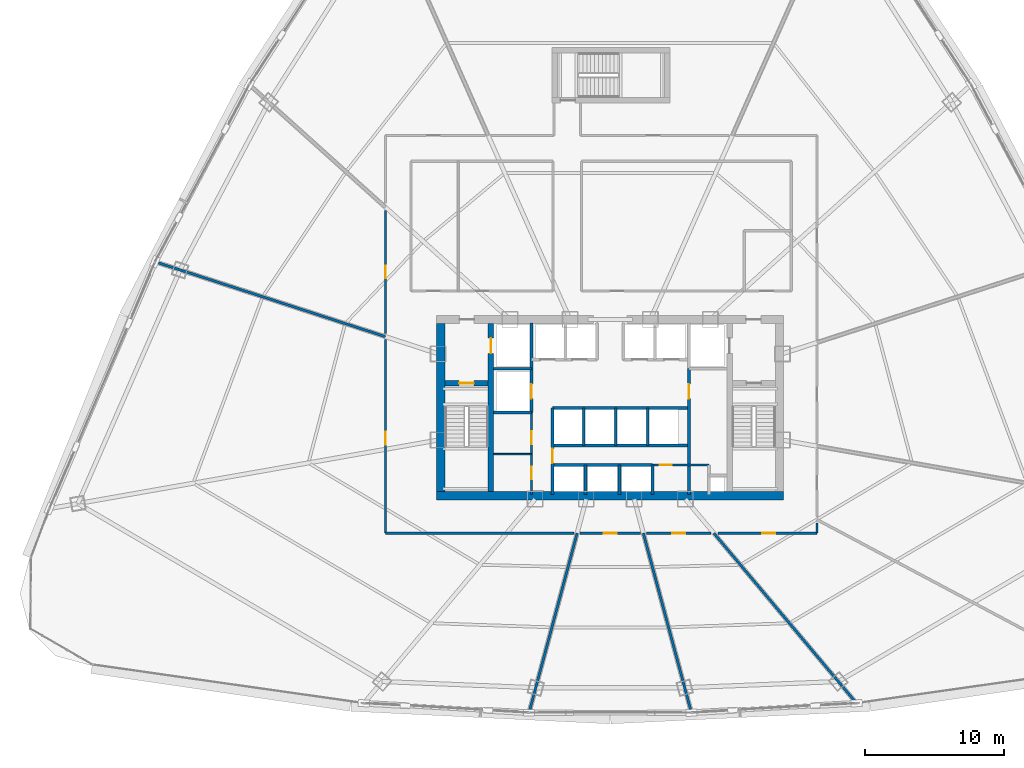
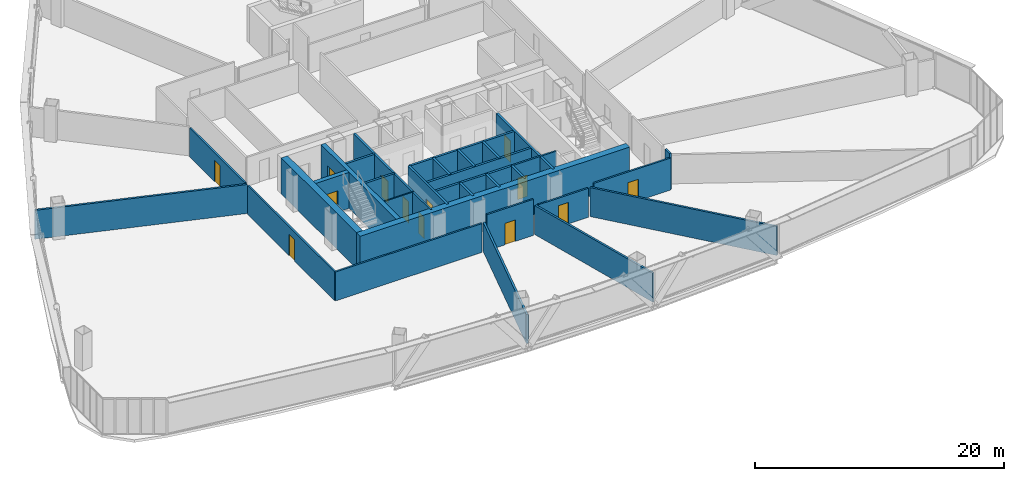
# One storey, part 32 of 39: 32 walls, 13 doors, 13 openings.
"""IFC4 building model written with IfcOpenShell, lengths in metres."""

from ifc_helpers import new_model, si_unit, direction, frame, frame_2d, origin, origin_with_axes, place, context, subcontext, project, spatial, rectangle, extrude, source, transform, mapped, material, layer, layer_set, type_object, element, fill, save


model = new_model("IFC4")

# Units and contexts
model_context = context("Model", 3, precision=1e-05, world=origin(), true_north=direction((0.0, 1.0)))
body_context = subcontext(model_context, "Body", "Model", "MODEL_VIEW")
ifc_project = project(units=[si_unit("LENGTHUNIT", "METRE"), si_unit("AREAUNIT", "SQUARE_METRE"), si_unit("VOLUMEUNIT", "CUBIC_METRE"), si_unit("PLANEANGLEUNIT", "RADIAN"), si_unit("MASSUNIT", "GRAM", prefix="KILO"), si_unit("THERMODYNAMICTEMPERATUREUNIT", "KELVIN"), si_unit("POWERUNIT", "WATT")], contexts=[model_context])

# Site, building, storey
site_placement = place(None, origin())
site = spatial("IfcSite", under=ifc_project, at=site_placement, CompositionType="ELEMENT")
building_placement = place(site_placement, origin())
building = spatial("IfcBuilding", under=site, at=building_placement, Name="Yunzhuo Pagoda Commons", CompositionType="ELEMENT")
storey_placement = place(building_placement, frame((0.0, 0.0, 96.3798828125)))
storey = spatial("IfcBuildingStorey", under=building, at=storey_placement, Name="L24", CompositionType="ELEMENT", Elevation=96.3798828125)

# Walls
ifc_material_1 = material(Name="Concrete C60", Category="concrete")
ifc_layer_1 = layer(ifc_material_1, 0.60009765625)
ifc_layer_set_1 = layer_set([ifc_layer_1], Name="Concrete C60")
wall_type_1 = type_object("IfcWallType", Name="W-C02 Mid Core Shear Wall 600", PredefinedType="SHEAR", material=ifc_layer_set_1)
wall_1_placement = place(storey_placement, frame((35.5, 27.5, 0.0), z_axis=(0.0, 0.0, 1.0), x_axis=(1.0, 0.0, 0.0)))
element("IfcWall", 1, at=wall_1_placement, inside=storey, type_object=wall_type_1, Name="L24 core shear wall S", PredefinedType="SHEAR", context=body_context, shape_type="SweptSolid", body=[
    extrude(rectangle(XDim=25.0, YDim=0.60009765625, at=frame_2d((12.5, 0.0))), origin(), (0.0, 0.0, 1.0), 3.5400390625),
])
wall_2_placement = place(storey_placement, frame((35.800048828125, 27.800048828125, 0.0), z_axis=(0.0, 0.0, 1.0), x_axis=(0.0, 1.0, 0.0)))
element("IfcWall", 2, at=wall_2_placement, inside=storey, type_object=wall_type_1, Name="L24 core shear wall W", PredefinedType="SHEAR", context=body_context, shape_type="SweptSolid", body=[
    extrude(rectangle(XDim=12.099853515625, YDim=0.60009765625, at=frame_2d((6.0498046875, 0.0))), origin(), (0.0, 0.0, 1.0), 3.5400390625),
])

# Wall, openings, doors
ifc_material_2 = material(Name="Gypsum plasterboard on acoustic stud")
ifc_layer_2 = layer(ifc_material_2, 0.159912109375)
ifc_layer_set_2 = layer_set([ifc_layer_2], Name="Gypsum plasterboard on acoustic stud")
wall_type_2 = type_object("IfcWallType", Name="W-COR1 Tower Rated Corridor Wall 160", PredefinedType="PARTITIONING", material=ifc_layer_set_2)
wall_3_placement = place(storey_placement, frame((42.320068359375, 27.60009765625, 0.0), z_axis=(0.0, 0.0, 1.0), x_axis=(0.0, 1.0, 0.0)))
wall_3 = element("IfcWall", 3, at=wall_3_placement, inside=storey, type_object=wall_type_2, Name="L24 interior wall IW-L24-CSWE", PredefinedType="PARTITIONING", context=body_context, shape_type="SweptSolid", body=[
    extrude(rectangle(XDim=5.89990234375, YDim=0.159912109375, at=frame_2d((2.949951171875, 0.0))), origin(), (0.0, 0.0, 1.0), 3.5400390625),
])
opening_1_placement = place(wall_3_placement, frame((1.10009765625, 0.0, 0.0)))
opening_1 = element("IfcOpeningElement", 4, at=opening_1_placement, cuts=wall_3, Name="Opening D-03", PredefinedType="OPENING", context=body_context, shape_type="SweptSolid", body=[
    extrude(rectangle(XDim=0.89990234375, YDim=2.10009765625, at=frame_2d((0.449951171875, 1.050048828125))), frame((0.0, 0.08984375, 0.0), z_axis=(0.0, -1.0, 0.0), x_axis=(1.0, 0.0, 0.0)), (0.0, 0.0, 1.0), 0.179931640625),
])
opening_2_placement = place(wall_3_placement, frame((3.60009765625, 0.0, 0.0)))
opening_2 = element("IfcOpeningElement", 5, at=opening_2_placement, cuts=wall_3, Name="Opening D-11", PredefinedType="OPENING", context=body_context, shape_type="SweptSolid", body=[
    extrude(rectangle(XDim=0.93994140625, YDim=2.10009765625, at=frame_2d((0.469970703125, 1.050048828125))), frame((0.0, 0.08984375, 0.0), z_axis=(0.0, -1.0, 0.0), x_axis=(1.0, 0.0, 0.0)), (0.0, 0.0, 1.0), 0.179931640625),
])
ifc_material_3 = material(Name="Galvanized fire-resisting metal leaf")
door_type_1 = type_object("IfcDoorType", Name="D-03 Core Service Fire Door 900x2100", OperationType="NOTDEFINED", PredefinedType="DOOR", material=ifc_material_3)
shared_shape_1 = source(origin(), body_context, "Body", "SweptSolid", [
    extrude(rectangle(XDim=0.89990234375, YDim=2.10009765625, at=frame_2d((0.449951171875, 1.050048828125))), frame((0.0, 0.02490234375, 0.0), z_axis=(0.0, -1.0, 0.0), x_axis=(1.0, 0.0, 0.0)), (0.0, 0.0, 1.0), 0.050048828125),
])
door_1_placement = place(opening_1_placement, origin_with_axes())
door_1 = element("IfcDoor", 6, at=door_1_placement, inside=storey, type_object=door_type_1, Name="L24 housekeeping door", OperationType="SINGLE_SWING_RIGHT", OverallHeight=2.10009765625, OverallWidth=0.89990234375, PredefinedType="DOOR", context=body_context, shape_type="MappedRepresentation", body=[
    mapped(shared_shape_1, transform((0.0, 0.0, 0.0), scale=1.0)),
])
fill(opening_1, door_1)
door_type_2 = type_object("IfcDoorType", Name="D-11 Accessible Washroom Fire Door 940x2100", OperationType="NOTDEFINED", PredefinedType="DOOR", material=ifc_material_3)
shared_shape_2 = source(origin(), body_context, "Body", "SweptSolid", [
    extrude(rectangle(XDim=0.93994140625, YDim=2.10009765625, at=frame_2d((0.469970703125, 1.050048828125))), frame((0.0, 0.02490234375, 0.0), z_axis=(0.0, -1.0, 0.0), x_axis=(1.0, 0.0, 0.0)), (0.0, 0.0, 1.0), 0.050048828125),
])
door_2_placement = place(opening_2_placement, origin_with_axes())
door_2 = element("IfcDoor", 7, at=door_2_placement, inside=storey, type_object=door_type_2, Name="L24 core WC door", OperationType="SINGLE_SWING_RIGHT", OverallHeight=2.10009765625, OverallWidth=0.93994140625, PredefinedType="DOOR", context=body_context, shape_type="MappedRepresentation", body=[
    mapped(shared_shape_2, transform((0.0, 0.0, 0.0), scale=1.0)),
])
fill(opening_2, door_2)

# Wall, opening, door
wall_4_placement = place(storey_placement, frame((51.050048828125, 29.719970703125, 0.0), z_axis=(0.0, 0.0, 1.0), x_axis=(1.0, 0.0, 0.0)))
wall_4 = element("IfcWall", 8, at=wall_4_placement, inside=storey, type_object=wall_type_2, Name="L24 interior wall IW-L24-CSES", PredefinedType="PARTITIONING", context=body_context, shape_type="SweptSolid", body=[
    extrude(rectangle(XDim=4.070068359375, YDim=0.159912109375, at=frame_2d((2.03515625, 0.0))), origin(), (0.0, 0.0, 1.0), 3.5400390625),
])
opening_3_placement = place(wall_4_placement, frame((0.5, 0.0, 0.0)))
opening_3 = element("IfcOpeningElement", 9, at=opening_3_placement, cuts=wall_4, Name="Opening D-03", PredefinedType="OPENING", context=body_context, shape_type="SweptSolid", body=[
    extrude(rectangle(XDim=0.89990234375, YDim=2.10009765625, at=frame_2d((0.449951171875, 1.050048828125))), frame((0.0, 0.08984375, 0.0), z_axis=(0.0, -1.0, 0.0), x_axis=(1.0, 0.0, 0.0)), (0.0, 0.0, 1.0), 0.179931640625),
])
door_3_placement = place(opening_3_placement, origin_with_axes())
door_3 = element("IfcDoor", 10, at=door_3_placement, inside=storey, type_object=door_type_1, Name="L24 IT closet door", OperationType="SINGLE_SWING_LEFT", OverallHeight=2.10009765625, OverallWidth=0.89990234375, PredefinedType="DOOR", context=body_context, shape_type="MappedRepresentation", body=[
    mapped(shared_shape_1, transform((0.0, 0.0, 0.0), scale=1.0)),
])
fill(opening_3, door_3)

wall_5_placement = place(storey_placement, frame((31.800048828125, 24.800048828125, 0.0), z_axis=(0.0, 0.0, 1.0), x_axis=(0.0, 1.0, 0.0)))
wall_5 = element("IfcWall", 11, at=wall_5_placement, inside=storey, type_object=wall_type_2, Name="L24 interior wall IW-L24-CWL01", PredefinedType="PARTITIONING", context=body_context, shape_type="SweptSolid", body=[
    extrude(rectangle(XDim=13.94384765625, YDim=0.159912109375, at=frame_2d((6.971923828125, 0.0))), origin(), (0.0, 0.0, 1.0), 2.840087890625),
])
opening_4_placement = place(wall_5_placement, frame((6.376953125, 0.0, 0.0)))
opening_4 = element("IfcOpeningElement", 12, at=opening_4_placement, cuts=wall_5, Name="Opening D-06", PredefinedType="OPENING", context=body_context, shape_type="SweptSolid", body=[
    extrude(rectangle(XDim=0.949951171875, YDim=2.10009765625, at=frame_2d((0.47509765625, 1.050048828125))), frame((0.0, 0.08984375, 0.0), z_axis=(0.0, -1.0, 0.0), x_axis=(1.0, 0.0, 0.0)), (0.0, 0.0, 1.0), 0.179931640625),
])
door_type_3 = type_object("IfcDoorType", Name="D-06 Co-Living Suite Entrance Fire Door 950x2100", OperationType="NOTDEFINED", PredefinedType="DOOR", material=ifc_material_3)
shared_shape_3 = source(origin(), body_context, "Body", "SweptSolid", [
    extrude(rectangle(XDim=0.949951171875, YDim=2.10009765625, at=frame_2d((0.47509765625, 1.050048828125))), frame((0.0, 0.02490234375, 0.0), z_axis=(0.0, -1.0, 0.0), x_axis=(1.0, 0.0, 0.0)), (0.0, 0.0, 1.0), 0.050048828125),
])
door_4_placement = place(opening_4_placement, origin_with_axes())
door_4 = element("IfcDoor", 13, at=door_4_placement, inside=storey, type_object=door_type_3, Name="L24 Resident Co-Living Commons Hall door", OperationType="SINGLE_SWING_LEFT", OverallHeight=2.10009765625, OverallWidth=0.949951171875, PredefinedType="DOOR", context=body_context, shape_type="MappedRepresentation", body=[
    mapped(shared_shape_3, transform((0.0, 0.0, 0.0), scale=1.0)),
])
fill(opening_4, door_4)

wall_6_placement = place(storey_placement, frame((31.800048828125, 39.195068359375, 0.0), z_axis=(0.0, 0.0, 1.0), x_axis=(0.0, 1.0, 0.0)))
wall_6 = element("IfcWall", 14, at=wall_6_placement, inside=storey, type_object=wall_type_2, Name="L24 interior wall IW-L24-CWL02", PredefinedType="PARTITIONING", context=body_context, shape_type="SweptSolid", body=[
    extrude(rectangle(XDim=8.871826171875, YDim=0.159912109375, at=frame_2d((4.43603515625, 0.0))), origin(), (0.0, 0.0, 1.0), 2.840087890625),
])
opening_5_placement = place(wall_6_placement, frame((3.97021484375, 0.0, 0.0)))
opening_5 = element("IfcOpeningElement", 15, at=opening_5_placement, cuts=wall_6, Name="Opening D-04", PredefinedType="OPENING", context=body_context, shape_type="SweptSolid", body=[
    extrude(rectangle(XDim=0.919921875, YDim=2.10009765625, at=frame_2d((0.4599609375, 1.050048828125))), frame((0.0, 0.08984375, 0.0), z_axis=(0.0, -1.0, 0.0), x_axis=(1.0, 0.0, 0.0)), (0.0, 0.0, 1.0), 0.179931640625),
])
ifc_material_4 = material(Name="Powder-coated aluminium and timber acoustic leaf", Category="wood")
door_type_4 = type_object("IfcDoorType", Name="D-04 Bedroom & Study Interior Door 920x2100", OperationType="NOTDEFINED", PredefinedType="DOOR", material=ifc_material_4)
shared_shape_4 = source(origin(), body_context, "Body", "SweptSolid", [
    extrude(rectangle(XDim=0.919921875, YDim=2.10009765625, at=frame_2d((0.4599609375, 1.050048828125))), frame((0.0, 0.02490234375, 0.0), z_axis=(0.0, -1.0, 0.0), x_axis=(1.0, 0.0, 0.0)), (0.0, 0.0, 1.0), 0.050048828125),
])
door_5_placement = place(opening_5_placement, origin_with_axes())
door_5 = element("IfcDoor", 16, at=door_5_placement, inside=storey, type_object=door_type_4, Name="L24 seminar room 05 door", OperationType="SINGLE_SWING_RIGHT", OverallHeight=2.10009765625, OverallWidth=0.919921875, PredefinedType="DOOR", context=body_context, shape_type="MappedRepresentation", body=[
    mapped(shared_shape_4, transform((0.0, 0.0, 0.0), scale=1.0)),
])
fill(opening_5, door_5)

# Wall
wall_7_placement = place(storey_placement, frame((62.89990234375, 25.5283203125, 0.0), z_axis=(0.0, 0.0, 1.0), x_axis=(0.0, -1.0, 0.0)))
element("IfcWall", 17, at=wall_7_placement, inside=storey, type_object=wall_type_2, Name="L24 interior wall IW-L24-CWL13", PredefinedType="PARTITIONING", context=body_context, shape_type="SweptSolid", body=[
    extrude(rectangle(XDim=0.728271484375, YDim=0.159912109375, at=frame_2d((0.3642578125, 0.0))), origin(), (0.0, 0.0, 1.0), 3.5400390625),
])

# Wall, opening, door
wall_8_placement = place(storey_placement, frame((62.89990234375, 24.800048828125, 0.0), z_axis=(0.0, 0.0, 1.0), x_axis=(-1.0, 0.0, 0.0)))
wall_8 = element("IfcWall", 18, at=wall_8_placement, inside=storey, type_object=wall_type_2, Name="L24 interior wall IW-L24-CWL14", PredefinedType="PARTITIONING", context=body_context, shape_type="SweptSolid", body=[
    extrude(rectangle(XDim=7.144775390625, YDim=0.159912109375, at=frame_2d((3.572265625, 0.0))), origin(), (0.0, 0.0, 1.0), 3.14013671875),
])
opening_6_placement = place(wall_8_placement, frame((3.010986328125, 0.0, 0.0)))
opening_6 = element("IfcOpeningElement", 19, at=opening_6_placement, cuts=wall_8, Name="Opening D-06", PredefinedType="OPENING", context=body_context, shape_type="SweptSolid", body=[
    extrude(rectangle(XDim=0.949951171875, YDim=2.10009765625, at=frame_2d((0.47509765625, 1.050048828125))), frame((0.0, 0.08984375, 0.0), z_axis=(0.0, -1.0, 0.0), x_axis=(1.0, 0.0, 0.0)), (0.0, 0.0, 1.0), 0.179931640625),
])
door_6_placement = place(opening_6_placement, origin_with_axes())
door_6 = element("IfcDoor", 20, at=door_6_placement, inside=storey, type_object=door_type_3, Name="L24 unit 09 entrance door", OperationType="SINGLE_SWING_RIGHT", OverallHeight=2.10009765625, OverallWidth=0.949951171875, PredefinedType="DOOR", context=body_context, shape_type="MappedRepresentation", body=[
    mapped(shared_shape_3, transform((0.0, 0.0, 0.0), scale=1.0)),
])
fill(opening_6, door_6)

wall_9_placement = place(storey_placement, frame((55.248046875, 24.800048828125, 0.0), z_axis=(0.0, 0.0, 1.0), x_axis=(-1.0, 0.0, 0.0)))
wall_9 = element("IfcWall", 21, at=wall_9_placement, inside=storey, type_object=wall_type_2, Name="L24 interior wall IW-L24-CWL15", PredefinedType="PARTITIONING", context=body_context, shape_type="SweptSolid", body=[
    extrude(rectangle(XDim=4.635498046875, YDim=0.159912109375, at=frame_2d((2.31787109375, 0.0))), origin(), (0.0, 0.0, 1.0), 2.840087890625),
])
opening_7_placement = place(wall_9_placement, frame((1.8466796875, 0.0, 0.0)))
opening_7 = element("IfcOpeningElement", 22, at=opening_7_placement, cuts=wall_9, Name="Opening D-06", PredefinedType="OPENING", context=body_context, shape_type="SweptSolid", body=[
    extrude(rectangle(XDim=0.949951171875, YDim=2.10009765625, at=frame_2d((0.47509765625, 1.050048828125))), frame((0.0, 0.08984375, 0.0), z_axis=(0.0, -1.0, 0.0), x_axis=(1.0, 0.0, 0.0)), (0.0, 0.0, 1.0), 0.179931640625),
])
door_7_placement = place(opening_7_placement, origin_with_axes())
door_7 = element("IfcDoor", 23, at=door_7_placement, inside=storey, type_object=door_type_3, Name="L24 unit 08 entrance door", OperationType="SINGLE_SWING_LEFT", OverallHeight=2.10009765625, OverallWidth=0.949951171875, PredefinedType="DOOR", context=body_context, shape_type="MappedRepresentation", body=[
    mapped(shared_shape_3, transform((0.0, 0.0, 0.0), scale=1.0)),
])
fill(opening_7, door_7)

wall_10_placement = place(storey_placement, frame((50.164794921875, 24.800048828125, 0.0), z_axis=(0.0, 0.0, 1.0), x_axis=(-1.0, 0.0, 0.0)))
wall_10 = element("IfcWall", 24, at=wall_10_placement, inside=storey, type_object=wall_type_2, Name="L24 interior wall IW-L24-CWL16", PredefinedType="PARTITIONING", context=body_context, shape_type="SweptSolid", body=[
    extrude(rectangle(XDim=4.32958984375, YDim=0.159912109375, at=frame_2d((2.164794921875, 0.0))), origin(), (0.0, 0.0, 1.0), 3.5400390625),
])
opening_8_placement = place(wall_10_placement, frame((1.68994140625, 0.0, 0.0)))
opening_8 = element("IfcOpeningElement", 25, at=opening_8_placement, cuts=wall_10, Name="Opening D-06", PredefinedType="OPENING", context=body_context, shape_type="SweptSolid", body=[
    extrude(rectangle(XDim=0.949951171875, YDim=2.10009765625, at=frame_2d((0.47509765625, 1.050048828125))), frame((0.0, 0.08984375, 0.0), z_axis=(0.0, -1.0, 0.0), x_axis=(1.0, 0.0, 0.0)), (0.0, 0.0, 1.0), 0.179931640625),
])
door_8_placement = place(opening_8_placement, origin_with_axes())
door_8 = element("IfcDoor", 26, at=door_8_placement, inside=storey, type_object=door_type_3, Name="L24 unit 07 entrance door", OperationType="SINGLE_SWING_RIGHT", OverallHeight=2.10009765625, OverallWidth=0.949951171875, PredefinedType="DOOR", context=body_context, shape_type="MappedRepresentation", body=[
    mapped(shared_shape_3, transform((0.0, 0.0, 0.0), scale=1.0)),
])
fill(opening_8, door_8)

# Walls
wall_11_placement = place(storey_placement, frame((45.387451171875, 24.800048828125, 0.0), z_axis=(0.0, 0.0, 1.0), x_axis=(-1.0, 0.0, 0.0)))
element("IfcWall", 27, at=wall_11_placement, inside=storey, type_object=wall_type_2, Name="L24 interior wall IW-L24-CWL17", PredefinedType="PARTITIONING", context=body_context, shape_type="SweptSolid", body=[
    extrude(rectangle(XDim=13.58740234375, YDim=0.159912109375, at=frame_2d((6.793701171875, 0.0))), origin(), (0.0, 0.0, 1.0), 2.840087890625),
])
ifc_layer_3 = layer(ifc_material_2, 0.1201171875)
ifc_layer_set_3 = layer_set([ifc_layer_3], Name="Gypsum plasterboard on acoustic stud")
wall_type_3 = type_object("IfcWallType", Name="W-PRT1 Suite & Bathroom Partition 120", PredefinedType="PARTITIONING", material=ifc_layer_set_3)
wall_12_placement = place(storey_placement, frame((39.60009765625, 30.5, 0.0), z_axis=(0.0, 0.0, 1.0), x_axis=(1.0, 0.0, 0.0)))
element("IfcWall", 28, at=wall_12_placement, inside=storey, type_object=wall_type_3, Name="L24 interior wall IW-L24-CB1", PredefinedType="PARTITIONING", context=body_context, shape_type="SweptSolid", body=[
    extrude(rectangle(XDim=2.719970703125, YDim=0.1201171875, at=frame_2d((1.35986328125, 0.0))), origin(), (0.0, 0.0, 1.0), 3.5400390625),
])
ifc_layer_4 = layer(ifc_material_2, 0.179931640625)
ifc_layer_set_4 = layer_set([ifc_layer_4], Name="Gypsum plasterboard on acoustic stud")
wall_type_4 = type_object("IfcWallType", Name="W-PRT2 Acoustic Unit Demising Wall 180", PredefinedType="PARTITIONING", material=ifc_layer_set_4)
wall_13_placement = place(storey_placement, frame((31.800048828125, 38.963623046875, 0.0), z_axis=(0.0, 0.0, 1.0), x_axis=(-0.951055348694, 0.309020587857, 0.0)))
element("IfcWall", 29, at=wall_13_placement, inside=storey, type_object=wall_type_4, Name="L24 interior wall IW-L24-RAD05", PredefinedType="PARTITIONING", context=body_context, shape_type="SweptSolid", body=[
    extrude(rectangle(XDim=17.450439453125, YDim=0.179931640625, at=frame_2d((8.72509765625, 0.0))), origin(), (0.0, 0.0, 1.0), 2.840087890625),
])
for number, where, z_axis, x_axis, name in (
    (30, (45.615234375, 24.800048828125, 0.0), (0.0, 0.0, 1.0), (-0.258814147169, -0.965927138673, 0.0), "L24 interior wall IW-L24-RAD06"),
    (31, (50.384765625, 24.800048828125, 0.0), (0.0, 0.0, 1.0), (0.258814147169, -0.965927138673, 0.0), "L24 interior wall IW-L24-RAD07"),
):
    element("IfcWall", number, at=place(storey_placement, frame(where, z_axis=z_axis, x_axis=x_axis)), inside=storey, type_object=wall_type_4, Name=name, PredefinedType="PARTITIONING", context=body_context, shape_type="SweptSolid", body=[
        extrude(rectangle(XDim=13.39208984375, YDim=0.179931640625, at=frame_2d((6.696044921875, 0.0))), origin(), (0.0, 0.0, 1.0), 2.840087890625),
    ])
wall_14_placement = place(storey_placement, frame((55.468017578125, 24.800048828125, 0.0), z_axis=(0.0, 0.0, 1.0), x_axis=(0.642790007557, -0.766042431061, 0.0)))
element("IfcWall", 32, at=wall_14_placement, inside=storey, type_object=wall_type_4, Name="L24 interior wall IW-L24-RAD08", PredefinedType="PARTITIONING", context=body_context, shape_type="SweptSolid", body=[
    extrude(rectangle(XDim=15.9951171875, YDim=0.179931640625, at=frame_2d((7.99755859375, 0.0))), origin(), (0.0, 0.0, 1.0), 2.840087890625),
])

# Wall, opening, door
ifc_layer_5 = layer(ifc_material_1, 0.39990234375)
ifc_layer_set_5 = layer_set([ifc_layer_5], Name="Concrete C60")
wall_type_5 = type_object("IfcWallType", Name="W-S01 Internal Core Shear Web 400", PredefinedType="SHEAR", material=ifc_layer_set_5)
wall_15_placement = place(storey_placement, frame((39.39990234375, 27.800048828125, 0.0), z_axis=(0.0, 0.0, 1.0), x_axis=(0.0, 1.0, 0.0)))
wall_15 = element("IfcWall", 33, at=wall_15_placement, inside=storey, type_object=wall_type_5, Name="L24 core shear wall WEBW", PredefinedType="SHEAR", context=body_context, shape_type="SweptSolid", body=[
    extrude(rectangle(XDim=12.099853515625, YDim=0.39990234375, at=frame_2d((6.0498046875, 0.0))), origin(), (0.0, 0.0, 1.0), 3.5400390625),
])
opening_9_placement = place(wall_15_placement, frame((9.949951171875, 0.0, 0.0)))
opening_9 = element("IfcOpeningElement", 34, at=opening_9_placement, cuts=wall_15, Name="Opening LD-01", PredefinedType="OPENING", context=body_context, shape_type="SweptSolid", body=[
    extrude(rectangle(XDim=1.10009765625, YDim=2.10009765625, at=frame_2d((0.550048828125, 1.050048828125))), frame((0.0, 0.2099609375, 0.0), z_axis=(0.0, -1.0, 0.0), x_axis=(1.0, 0.0, 0.0)), (0.0, 0.0, 1.0), 0.419921875),
])
door_type_5 = type_object("IfcDoorType", Name="LD-01 Firefighting Lift Landing Door 1100x2100", OperationType="DOUBLE_DOOR_SLIDING", PredefinedType="DOOR", material=ifc_material_3)
shared_shape_5 = source(origin(), body_context, "Body", "SweptSolid", [
    extrude(rectangle(XDim=1.10009765625, YDim=2.10009765625, at=frame_2d((0.550048828125, 1.050048828125))), frame((0.0, 0.02490234375, 0.0), z_axis=(0.0, -1.0, 0.0), x_axis=(1.0, 0.0, 0.0)), (0.0, 0.0, 1.0), 0.050048828125),
])
door_9_placement = place(opening_9_placement, frame((1.10009765625, 0.0, 0.0), z_axis=(0.0, 0.0, 1.0), x_axis=(-1.0, 0.0, 0.0)))
door_9 = element("IfcDoor", 35, at=door_9_placement, inside=storey, type_object=door_type_5, Name="L24 Firefighting lift FL-1 landing door", OperationType="DOUBLE_DOOR_SLIDING", OverallHeight=2.10009765625, OverallWidth=1.10009765625, PredefinedType="DOOR", context=body_context, shape_type="MappedRepresentation", body=[
    mapped(shared_shape_5, transform((0.0, 0.0, 0.0), scale=1.0)),
])
fill(opening_9, door_9)

wall_16_placement = place(storey_placement, frame((36.10009765625, 35.60009765625, 0.0), z_axis=(0.0, 0.0, 1.0), x_axis=(1.0, 0.0, 0.0)))
wall_16 = element("IfcWall", 36, at=wall_16_placement, inside=storey, type_object=wall_type_5, Name="L24 core shear wall STW", PredefinedType="SHEAR", context=body_context, shape_type="SweptSolid", body=[
    extrude(rectangle(XDim=3.099853515625, YDim=0.39990234375, at=frame_2d((1.5498046875, 0.0))), origin(), (0.0, 0.0, 1.0), 3.5400390625),
])
opening_10_placement = place(wall_16_placement, frame((1.02001953125, 0.0, 0.0)))
opening_10 = element("IfcOpeningElement", 37, at=opening_10_placement, cuts=wall_16, Name="Opening D-01", PredefinedType="OPENING", context=body_context, shape_type="SweptSolid", body=[
    extrude(rectangle(XDim=1.050048828125, YDim=2.10009765625, at=frame_2d((0.52490234375, 1.050048828125))), frame((0.0, 0.2099609375, 0.0), z_axis=(0.0, -1.0, 0.0), x_axis=(1.0, 0.0, 0.0)), (0.0, 0.0, 1.0), 0.419921875),
])
door_type_6 = type_object("IfcDoorType", Name="D-01 Smokeproof Stair Fire Door 1050x2100", OperationType="NOTDEFINED", PredefinedType="DOOR", material=ifc_material_3)
shared_shape_6 = source(origin(), body_context, "Body", "SweptSolid", [
    extrude(rectangle(XDim=1.050048828125, YDim=2.10009765625, at=frame_2d((0.52490234375, 1.050048828125))), frame((0.0, 0.02490234375, 0.0), z_axis=(0.0, -1.0, 0.0), x_axis=(1.0, 0.0, 0.0)), (0.0, 0.0, 1.0), 0.050048828125),
])
door_10_placement = place(opening_10_placement, frame((1.050048828125, 0.0, 0.0), z_axis=(0.0, 0.0, 1.0), x_axis=(-1.0, 0.0, 0.0)))
door_10 = element("IfcDoor", 38, at=door_10_placement, inside=storey, type_object=door_type_6, Name="L24 Stair ST1 fire door", OperationType="SINGLE_SWING_LEFT", OverallHeight=2.10009765625, OverallWidth=1.050048828125, PredefinedType="DOOR", context=body_context, shape_type="MappedRepresentation", body=[
    mapped(shared_shape_6, transform((0.0, 0.0, 0.0), scale=1.0)),
])
fill(opening_10, door_10)

ifc_material_5 = material(Name="Concrete C40", Category="concrete")
ifc_layer_6 = layer(ifc_material_5, 0.199951171875)
ifc_layer_set_6 = layer_set([ifc_layer_6], Name="Concrete C40")
wall_type_6 = type_object("IfcWallType", Name="W-SHF Shaft & Stair Enclosure Wall 200", PredefinedType="SOLIDWALL", material=ifc_layer_set_6)
wall_17_placement = place(storey_placement, frame((42.320068359375, 33.5, 0.0), z_axis=(0.0, 0.0, 1.0), x_axis=(0.0, 1.0, 0.0)))
wall_17 = element("IfcWall", 39, at=wall_17_placement, inside=storey, type_object=wall_type_6, Name="L24 interior wall IW-L24-FL1E", PredefinedType="SOLIDWALL", context=body_context, shape_type="SweptSolid", body=[
    extrude(rectangle(XDim=6.449951171875, YDim=0.199951171875, at=frame_2d((3.22509765625, 0.0))), origin(), (0.0, 0.0, 1.0), 3.5400390625),
])
opening_11_placement = place(wall_17_placement, frame((1.0, 0.0, 0.0)))
opening_11 = element("IfcOpeningElement", 40, at=opening_11_placement, cuts=wall_17, Name="Opening LD-02", PredefinedType="OPENING", context=body_context, shape_type="SweptSolid", body=[
    extrude(rectangle(XDim=1.050048828125, YDim=2.10009765625, at=frame_2d((0.52490234375, 1.050048828125))), frame((0.0, 0.10986328125, 0.0), z_axis=(0.0, -1.0, 0.0), x_axis=(1.0, 0.0, 0.0)), (0.0, 0.0, 1.0), 0.219970703125),
])
door_type_7 = type_object("IfcDoorType", Name="LD-02 Passenger Lift Landing Door 1050x2100", OperationType="DOUBLE_DOOR_SLIDING", PredefinedType="DOOR", material=ifc_material_3)
door_11_placement = place(opening_11_placement, origin_with_axes())
door_11 = element("IfcDoor", 41, at=door_11_placement, inside=storey, type_object=door_type_7, Name="L24 Service lift SL-1 landing door", OperationType="DOUBLE_DOOR_SLIDING", OverallHeight=2.10009765625, OverallWidth=1.050048828125, PredefinedType="DOOR", context=body_context, shape_type="MappedRepresentation", body=[
    mapped(shared_shape_6, transform((0.0, 0.0, 0.0), scale=1.0)),
])
fill(opening_11, door_11)

# Walls
for number, where, z_axis, x_axis, name in (
    (42, (39.60009765625, 36.64990234375, 0.0), (0.0, 0.0, 1.0), (1.0, 0.0, 0.0), "L24 interior wall IW-L24-FL1S"),
    (43, (39.60009765625, 33.5, 0.0), (0.0, 0.0, 1.0), (1.0, 0.0, 0.0), "L24 interior wall IW-L24-SL1S"),
):
    element("IfcWall", number, at=place(storey_placement, frame(where, z_axis=z_axis, x_axis=x_axis)), inside=storey, type_object=wall_type_6, Name=name, PredefinedType="SOLIDWALL", context=body_context, shape_type="SweptSolid", body=[
        extrude(rectangle(XDim=2.719970703125, YDim=0.199951171875, at=frame_2d((1.35986328125, 0.0))), origin(), (0.0, 0.0, 1.0), 3.5400390625),
    ])
wall_18_placement = place(storey_placement, frame((43.85009765625, 33.820068359375, 0.0), z_axis=(0.0, 0.0, 1.0), x_axis=(1.0, 0.0, 0.0)))
element("IfcWall", 44, at=wall_18_placement, inside=storey, type_object=wall_type_6, Name="L24 interior wall IW-L24-MLBS", PredefinedType="SOLIDWALL", context=body_context, shape_type="SweptSolid", body=[
    extrude(rectangle(XDim=9.829833984375, YDim=0.199951171875, at=frame_2d((4.9150390625, 0.0))), origin(), (0.0, 0.0, 1.0), 3.5400390625),
])

# Wall, opening, door
wall_19_placement = place(storey_placement, frame((43.85009765625, 27.60009765625, 0.0), z_axis=(0.0, 0.0, 1.0), x_axis=(0.0, 1.0, 0.0)))
wall_19 = element("IfcWall", 45, at=wall_19_placement, inside=storey, type_object=wall_type_6, Name="L24 interior wall IW-L24-PLMW", PredefinedType="SOLIDWALL", context=body_context, shape_type="SweptSolid", body=[
    extrude(rectangle(XDim=6.219970703125, YDim=0.199951171875, at=frame_2d((3.10986328125, 0.0))), origin(), (0.0, 0.0, 1.0), 3.5400390625),
])
opening_12_placement = place(wall_19_placement, frame((2.25, 0.0, 0.0)))
opening_12 = element("IfcOpeningElement", 46, at=opening_12_placement, cuts=wall_19, Name="Opening D-02", PredefinedType="OPENING", context=body_context, shape_type="SweptSolid", body=[
    extrude(rectangle(XDim=1.050048828125, YDim=2.10009765625, at=frame_2d((0.52490234375, 1.050048828125))), frame((0.0, 0.10986328125, 0.0), z_axis=(0.0, -1.0, 0.0), x_axis=(1.0, 0.0, 0.0)), (0.0, 0.0, 1.0), 0.219970703125),
])
door_type_8 = type_object("IfcDoorType", Name="D-02 Firefighting Lobby & Refuge Fire Door 1050x2100", OperationType="NOTDEFINED", PredefinedType="DOOR", material=ifc_material_3)
door_12_placement = place(opening_12_placement, frame((1.050048828125, 0.0, 0.0), z_axis=(0.0, 0.0, 1.0), x_axis=(-1.0, 0.0, 0.0)))
door_12 = element("IfcDoor", 47, at=door_12_placement, inside=storey, type_object=door_type_8, Name="L24 High-bank hall west door", OperationType="SINGLE_SWING_LEFT", OverallHeight=2.10009765625, OverallWidth=1.050048828125, PredefinedType="DOOR", context=body_context, shape_type="MappedRepresentation", body=[
    mapped(shared_shape_6, transform((0.0, 0.0, 0.0), scale=1.0)),
])
fill(opening_12, door_12)

wall_20_placement = place(storey_placement, frame((53.679931640625, 27.60009765625, 0.0), z_axis=(0.0, 0.0, 1.0), x_axis=(0.0, 1.0, 0.0)))
wall_20 = element("IfcWall", 48, at=wall_20_placement, inside=storey, type_object=wall_type_6, Name="L24 interior wall IW-L24-PLME", PredefinedType="SOLIDWALL", context=body_context, shape_type="SweptSolid", body=[
    extrude(rectangle(XDim=9.0498046875, YDim=0.199951171875, at=frame_2d((4.52490234375, 0.0))), origin(), (0.0, 0.0, 1.0), 3.5400390625),
])
opening_13_placement = place(wall_20_placement, frame((6.89990234375, 0.0, 0.0)))
opening_13 = element("IfcOpeningElement", 49, at=opening_13_placement, cuts=wall_20, Name="Opening D-02", PredefinedType="OPENING", context=body_context, shape_type="SweptSolid", body=[
    extrude(rectangle(XDim=1.050048828125, YDim=2.10009765625, at=frame_2d((0.52490234375, 1.050048828125))), frame((0.0, 0.10986328125, 0.0), z_axis=(0.0, -1.0, 0.0), x_axis=(1.0, 0.0, 0.0)), (0.0, 0.0, 1.0), 0.219970703125),
])
door_13_placement = place(opening_13_placement, origin_with_axes())
door_13 = element("IfcDoor", 50, at=door_13_placement, inside=storey, type_object=door_type_8, Name="L24 High-bank lift hall door", OperationType="SINGLE_SWING_RIGHT", OverallHeight=2.10009765625, OverallWidth=1.050048828125, PredefinedType="DOOR", context=body_context, shape_type="MappedRepresentation", body=[
    mapped(shared_shape_6, transform((0.0, 0.0, 0.0), scale=1.0)),
])
fill(opening_13, door_13)

# Walls
for number, where, z_axis, x_axis, name in (
    (51, (46.10009765625, 31.1201171875, 0.0), (0.0, 0.0, 1.0), (0.0, 1.0, 0.0), "L24 interior wall IW-L24-PLMD1"),
    (52, (48.39990234375, 31.1201171875, 0.0), (0.0, 0.0, 1.0), (0.0, 1.0, 0.0), "L24 interior wall IW-L24-PLMD2"),
    (53, (50.699951171875, 31.1201171875, 0.0), (0.0, 0.0, 1.0), (0.0, 1.0, 0.0), "L24 interior wall IW-L24-PLMD3"),
):
    element("IfcWall", number, at=place(storey_placement, frame(where, z_axis=z_axis, x_axis=x_axis)), inside=storey, type_object=wall_type_6, Name=name, PredefinedType="SOLIDWALL", context=body_context, shape_type="SweptSolid", body=[
        extrude(rectangle(XDim=2.699951171875, YDim=0.199951171875, at=frame_2d((1.35009765625, 0.0))), origin(), (0.0, 0.0, 1.0), 3.5400390625),
    ])
wall_21_placement = place(storey_placement, frame((43.85009765625, 29.719970703125, 0.0), z_axis=(0.0, 0.0, 1.0), x_axis=(1.0, 0.0, 0.0)))
element("IfcWall", 54, at=wall_21_placement, inside=storey, type_object=wall_type_6, Name="L24 interior wall IW-L24-PLHN", PredefinedType="SOLIDWALL", context=body_context, shape_type="SweptSolid", body=[
    extrude(rectangle(XDim=7.199951171875, YDim=0.199951171875, at=frame_2d((3.60009765625, 0.0))), origin(), (0.0, 0.0, 1.0), 3.5400390625),
])
wall_22_placement = place(storey_placement, frame((51.050048828125, 27.60009765625, 0.0), z_axis=(0.0, 0.0, 1.0), x_axis=(0.0, 1.0, 0.0)))
element("IfcWall", 55, at=wall_22_placement, inside=storey, type_object=wall_type_6, Name="L24 interior wall IW-L24-PLHE", PredefinedType="SOLIDWALL", context=body_context, shape_type="SweptSolid", body=[
    extrude(rectangle(XDim=2.119873046875, YDim=0.199951171875, at=frame_2d((1.06005859375, 0.0))), origin(), (0.0, 0.0, 1.0), 3.5400390625),
])
wall_23_placement = place(storey_placement, frame((43.85009765625, 31.1201171875, 0.0), z_axis=(0.0, 0.0, 1.0), x_axis=(1.0, 0.0, 0.0)))
element("IfcWall", 56, at=wall_23_placement, inside=storey, type_object=wall_type_6, Name="L24 interior wall IW-L24-PLMS2", PredefinedType="SOLIDWALL", context=body_context, shape_type="SweptSolid", body=[
    extrude(rectangle(XDim=9.829833984375, YDim=0.199951171875, at=frame_2d((4.9150390625, 0.0))), origin(), (0.0, 0.0, 1.0), 3.5400390625),
])
for number, where, z_axis, x_axis, name in (
    (57, (46.22509765625, 27.60009765625, 0.0), (0.0, 0.0, 1.0), (0.0, 1.0, 0.0), "L24 interior wall IW-L24-PLHD1"),
    (58, (48.675048828125, 27.60009765625, 0.0), (0.0, 0.0, 1.0), (0.0, 1.0, 0.0), "L24 interior wall IW-L24-PLHD2"),
):
    element("IfcWall", number, at=place(storey_placement, frame(where, z_axis=z_axis, x_axis=x_axis)), inside=storey, type_object=wall_type_6, Name=name, PredefinedType="SOLIDWALL", context=body_context, shape_type="SweptSolid", body=[
        extrude(rectangle(XDim=2.119873046875, YDim=0.199951171875, at=frame_2d((1.06005859375, 0.0))), origin(), (0.0, 0.0, 1.0), 3.5400390625),
    ])

save(model, "model.ifc")
